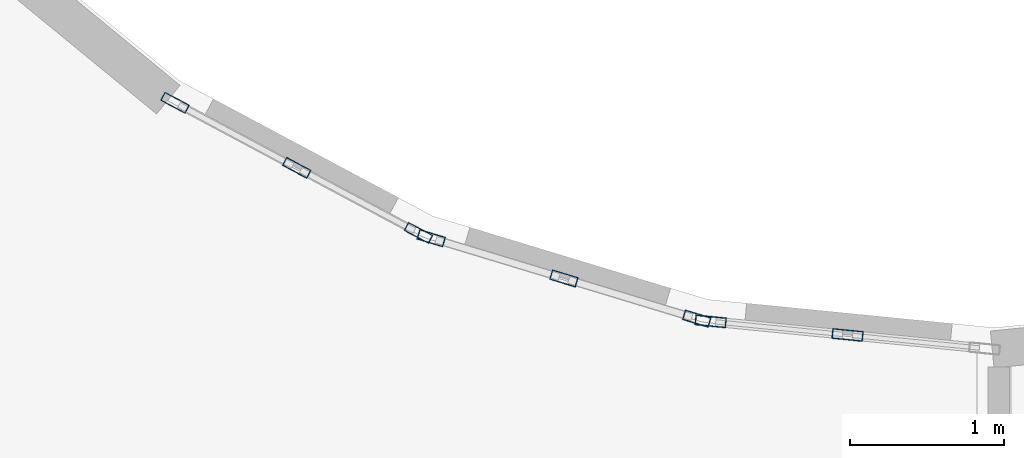
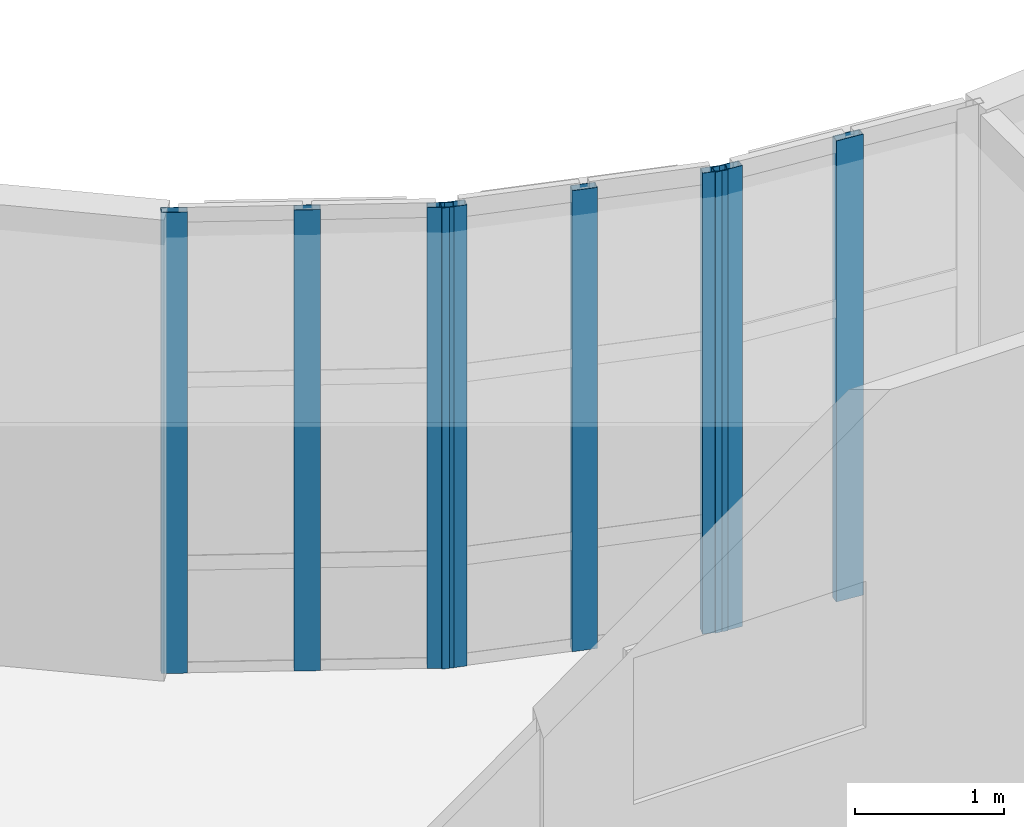
# One storey, part 26 of 89: 8 members, 3 elements without a shape of their own.
"""IFC4 building model written with IfcOpenShell, lengths in metres."""

from ifc_helpers import new_model, si_unit, direction, frame, origin, origin_2d, place, context, subcontext, project, spatial, hollow_rectangle, extrude, material, layer, layer_set, material_profile, profile_set, type_object, element, aggregate, save


model = new_model("IFC4")

# Units and contexts
model_context = context("Model", 3, precision=1e-05, world=origin(), true_north=direction((0.0, 1.0)))
body_context = subcontext(model_context, "Body", "Model", "MODEL_VIEW")
ifc_project = project(units=[si_unit("LENGTHUNIT", "METRE"), si_unit("AREAUNIT", "SQUARE_METRE"), si_unit("VOLUMEUNIT", "CUBIC_METRE"), si_unit("PLANEANGLEUNIT", "RADIAN"), si_unit("MASSUNIT", "GRAM", prefix="KILO")], contexts=[model_context])

# Site, building, storey
site_placement = place(None, origin())
site = spatial("IfcSite", under=ifc_project, at=site_placement, CompositionType="ELEMENT")
building_placement = place(site_placement, origin())
building = spatial("IfcBuilding", under=site, at=building_placement, Name="Kelanivale Promenade Academy", CompositionType="ELEMENT")
storey_placement = place(building_placement, frame((0.0, 0.0, 12.199951171875)))
storey = spatial("IfcBuildingStorey", under=building, at=storey_placement, Name="L03", CompositionType="ELEMENT", Elevation=12.199951171875)

# Curtain wall, members
ifc_material_1 = material(Name="Bronze anodised aluminium and solar-control low-E glass", Category="aluminium")
ifc_layer_1 = layer(ifc_material_1, 0.179931640625)
ifc_layer_set_1 = layer_set([ifc_layer_1], Name="Bronze anodised aluminium and solar-control low-E glass")
curtain_wall_type_1 = type_object("IfcCurtainWallType", Name="CW-02 Curtain Wall 1500mm Module", PredefinedType="USERDEFINED", material=ifc_layer_set_1)
curtain_wall_1_placement = place(storey_placement, origin())
curtain_wall_1 = element("IfcCurtainWall", 1, at=curtain_wall_1_placement, inside=storey, type_object=curtain_wall_type_1, Name="L03 courtyard curtain wall CW-02", ObjectType="UNITISED GLAZING", PredefinedType="USERDEFINED")
ifc_material_2 = material(Name="Bronze anodised aluminium EN AW-6063 T6", Category="aluminium")
ifc_material_profile_1 = material_profile(ifc_material_2, hollow_rectangle(XDim=0.06005859375, YDim=0.179931640625, WallThickness=0.00390625, at=origin_2d()), Name="ALU 60x180x4.0")
ifc_profile_set_1 = profile_set([ifc_material_profile_1], Name="Bronze anodised aluminium EN AW-6063 T6")
member_type_1 = type_object("IfcMemberType", Name="CWM-02 ALU 60x180x4.0", PredefinedType="MULLION", material=ifc_profile_set_1)
member_1_placement = place(storey_placement, frame((93.495361328125, 48.7568359375, 0.0), z_axis=(0.0, 0.0, 1.0), x_axis=(0.471290193914, 0.881978204448, 0.0)))
member_1 = element("IfcMember", 2, at=member_1_placement, type_object=member_type_1, Name="CW-02 mullion 1", PredefinedType="MULLION", context=body_context, shape_type="SweptSolid", body=[
    extrude(hollow_rectangle(XDim=0.06005859375, YDim=0.179931640625, WallThickness=0.00390625, at=origin_2d()), origin(), (0.0, 0.0, 1.0), 3.780029296875),
])
member_2_placement = place(storey_placement, frame((94.283935546875, 48.33544921875, 0.0), z_axis=(0.0, 0.0, 1.0), x_axis=(0.471290193914, 0.881978204448, 0.0)))
member_2 = element("IfcMember", 3, at=member_2_placement, type_object=member_type_1, Name="CW-02 mullion 2", PredefinedType="MULLION", context=body_context, shape_type="SweptSolid", body=[
    extrude(hollow_rectangle(XDim=0.06005859375, YDim=0.179931640625, WallThickness=0.00390625, at=origin_2d()), origin(), (0.0, 0.0, 1.0), 3.780029296875),
])
member_3_placement = place(storey_placement, frame((95.072509765625, 47.9140625, 0.0), z_axis=(0.0, 0.0, 1.0), x_axis=(0.471290193914, 0.881978204448, 0.0)))
member_3 = element("IfcMember", 4, at=member_3_placement, type_object=member_type_1, Name="CW-02 mullion 3", PredefinedType="MULLION", context=body_context, shape_type="SweptSolid", body=[
    extrude(hollow_rectangle(XDim=0.06005859375, YDim=0.179931640625, WallThickness=0.00390625, at=origin_2d()), origin(), (0.0, 0.0, 1.0), 3.780029296875),
])
aggregate(curtain_wall_1, [member_1, member_2, member_3])

ifc_layer_2 = layer(ifc_material_1, 0.159912109375)
ifc_layer_set_2 = layer_set([ifc_layer_2], Name="Bronze anodised aluminium and solar-control low-E glass")
curtain_wall_type_2 = type_object("IfcCurtainWallType", Name="CW-03 Curtain Wall 1650mm Module", PredefinedType="USERDEFINED", material=ifc_layer_set_2)
curtain_wall_2_placement = place(storey_placement, origin())
curtain_wall_2 = element("IfcCurtainWall", 5, at=curtain_wall_2_placement, inside=storey, type_object=curtain_wall_type_2, Name="L03 courtyard curtain wall CW-03", ObjectType="UNITISED GLAZING", PredefinedType="USERDEFINED")
ifc_material_profile_2 = material_profile(ifc_material_2, hollow_rectangle(XDim=0.06494140625, YDim=0.175048828125, WallThickness=0.00390625, at=origin_2d()), Name="ALU 65x175x4.0")
ifc_profile_set_2 = profile_set([ifc_material_profile_2], Name="Bronze anodised aluminium EN AW-6063 T6")
member_type_2 = type_object("IfcMemberType", Name="CWM-03 ALU 65x175x4.0", PredefinedType="MULLION", material=ifc_profile_set_2)
member_4_placement = place(storey_placement, frame((95.155029296875, 47.879638671875, 0.0), z_axis=(0.0, 0.0, 1.0), x_axis=(0.290007395287, 0.957024404432, 0.0)))
member_4 = element("IfcMember", 6, at=member_4_placement, type_object=member_type_2, Name="CW-03 mullion 1", PredefinedType="MULLION", context=body_context, shape_type="SweptSolid", body=[
    extrude(hollow_rectangle(XDim=0.06494140625, YDim=0.175048828125, WallThickness=0.00390625, at=origin_2d()), origin(), (0.0, 0.0, 1.0), 3.780029296875),
])
member_5_placement = place(storey_placement, frame((96.014892578125, 47.618896484375, 0.0), z_axis=(0.0, 0.0, 1.0), x_axis=(0.290007395287, 0.957024404432, 0.0)))
member_5 = element("IfcMember", 7, at=member_5_placement, type_object=member_type_2, Name="CW-03 mullion 2", PredefinedType="MULLION", context=body_context, shape_type="SweptSolid", body=[
    extrude(hollow_rectangle(XDim=0.06494140625, YDim=0.175048828125, WallThickness=0.00390625, at=origin_2d()), origin(), (0.0, 0.0, 1.0), 3.780029296875),
])
member_6_placement = place(storey_placement, frame((96.875, 47.3583984375, 0.0), z_axis=(0.0, 0.0, 1.0), x_axis=(0.290007395287, 0.957024404432, 0.0)))
member_6 = element("IfcMember", 8, at=member_6_placement, type_object=member_type_2, Name="CW-03 mullion 3", PredefinedType="MULLION", context=body_context, shape_type="SweptSolid", body=[
    extrude(hollow_rectangle(XDim=0.06494140625, YDim=0.175048828125, WallThickness=0.00390625, at=origin_2d()), origin(), (0.0, 0.0, 1.0), 3.780029296875),
])
aggregate(curtain_wall_2, [member_4, member_5, member_6])

ifc_layer_3 = layer(ifc_material_1, 0.169921875)
ifc_layer_set_3 = layer_set([ifc_layer_3], Name="Bronze anodised aluminium and solar-control low-E glass")
curtain_wall_type_3 = type_object("IfcCurtainWallType", Name="CW-04 Curtain Wall 1800mm Module", PredefinedType="USERDEFINED", material=ifc_layer_set_3)
curtain_wall_3_placement = place(storey_placement, origin())
curtain_wall_3 = element("IfcCurtainWall", 9, at=curtain_wall_3_placement, inside=storey, type_object=curtain_wall_type_3, Name="L03 courtyard curtain wall CW-04", ObjectType="UNITISED GLAZING", PredefinedType="USERDEFINED")
ifc_material_profile_3 = material_profile(ifc_material_2, hollow_rectangle(XDim=0.06494140625, YDim=0.199951171875, WallThickness=0.00439453125, at=origin_2d()), Name="ALU 65x200x4.5")
ifc_profile_set_3 = profile_set([ifc_material_profile_3], Name="Bronze anodised aluminium EN AW-6063 T6")
member_type_3 = type_object("IfcMemberType", Name="CWM-04 ALU 65x200x4.5", PredefinedType="MULLION", material=ifc_profile_set_3)
member_7_placement = place(storey_placement, frame((96.96533203125, 47.3408203125, 0.0), z_axis=(0.0, 0.0, 1.0), x_axis=(0.098538762159, 0.99513321337, 0.0)))
member_7 = element("IfcMember", 10, at=member_7_placement, type_object=member_type_3, Name="CW-04 mullion 1", PredefinedType="MULLION", context=body_context, shape_type="SweptSolid", body=[
    extrude(hollow_rectangle(XDim=0.06494140625, YDim=0.199951171875, WallThickness=0.00439453125, at=origin_2d()), origin(), (0.0, 0.0, 1.0), 3.780029296875),
])
member_8_placement = place(storey_placement, frame((97.85205078125, 47.2529296875, 0.0), z_axis=(0.0, 0.0, 1.0), x_axis=(0.098538762159, 0.99513321337, 0.0)))
member_8 = element("IfcMember", 11, at=member_8_placement, type_object=member_type_3, Name="CW-04 mullion 2", PredefinedType="MULLION", context=body_context, shape_type="SweptSolid", body=[
    extrude(hollow_rectangle(XDim=0.06494140625, YDim=0.199951171875, WallThickness=0.00439453125, at=origin_2d()), origin(), (0.0, 0.0, 1.0), 3.780029296875),
])
aggregate(curtain_wall_3, [member_7, member_8])

save(model, "model.ifc")
